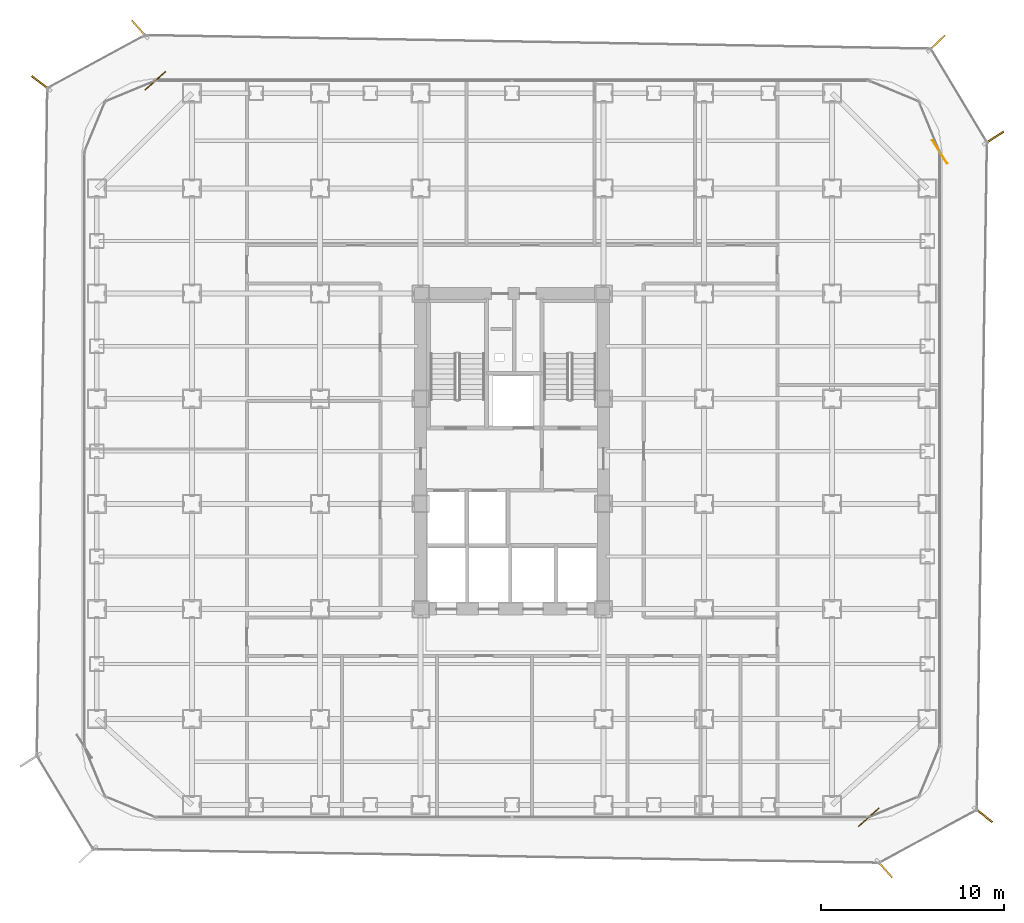
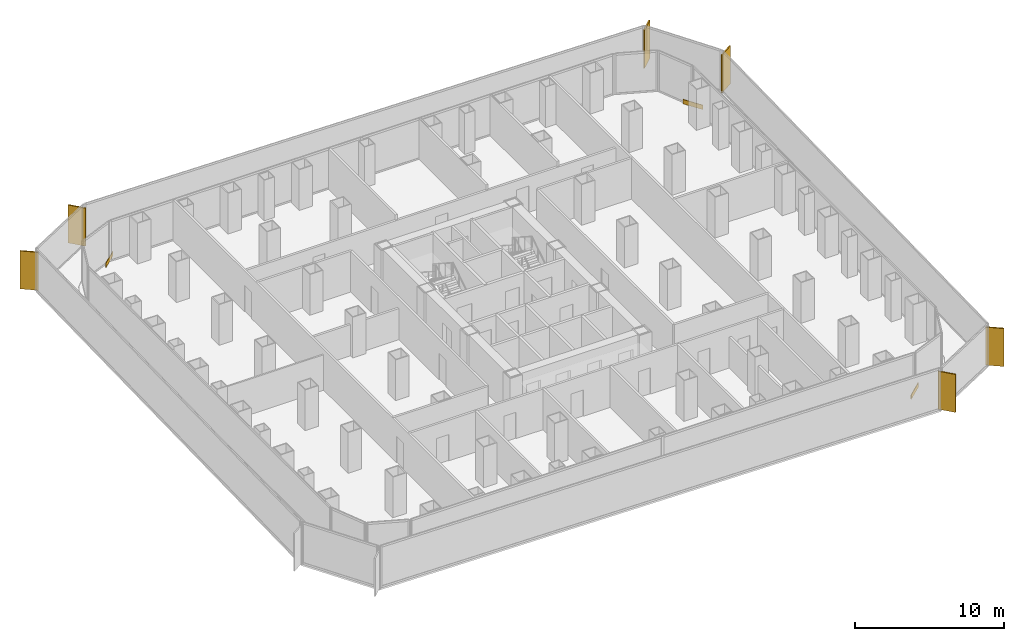
# One storey, part 22 of 22: 6 shading devices, 3 coverings.
"""IFC4 building model written with IfcOpenShell, lengths in metres."""

from ifc_helpers import new_model, si_unit, direction, frame, origin, origin_2d, place, context, subcontext, project, spatial, rectangle, extrude, source, transform, mapped, material, layer, layer_set, type_object, element, save


model = new_model("IFC4")

# Units and contexts
model_context = context("Model", 3, precision=1e-05, world=origin(), true_north=direction((0.0, 1.0)))
body_context = subcontext(model_context, "Body", "Model", "MODEL_VIEW")
ifc_project = project(units=[si_unit("LENGTHUNIT", "METRE"), si_unit("AREAUNIT", "SQUARE_METRE"), si_unit("VOLUMEUNIT", "CUBIC_METRE"), si_unit("PLANEANGLEUNIT", "RADIAN"), si_unit("MASSUNIT", "GRAM", prefix="KILO")], contexts=[model_context])

# Site, building, storey
site_placement = place(None, origin())
site = spatial("IfcSite", under=ifc_project, at=site_placement, CompositionType="ELEMENT")
building_placement = place(site_placement, origin())
building = spatial("IfcBuilding", under=site, at=building_placement, Name="Kolveth Station Tower", CompositionType="ELEMENT")
storey_placement = place(building_placement, frame((0.0, 0.0, 54.89990234375)))
storey = spatial("IfcBuildingStorey", under=building, at=storey_placement, Name="L14", CompositionType="ELEMENT", Elevation=54.89990234375)

# Shading devices
ifc_material_1 = material(Name="Black anodized aluminium 6063-T6", Category="aluminium")
shading_device_type = type_object("IfcShadingDeviceType", Name="FIN_VF1", PredefinedType="USERDEFINED", material=ifc_material_1)
shared_shape_1 = source(origin(), body_context, "Body", "SweptSolid", [
    extrude(rectangle(XDim=1.25, YDim=0.090087890625, at=origin_2d()), origin(), (0.0, 0.0, 1.0), 3.10009765625),
])
for number, where, z_axis, x_axis, name in (
    (1, (43.864990234375, -2.7080078125, 0.0), (0.0, 0.0, 1.0), (0.663534575496, -0.748145618928, 0.0), "L14 Dark-Aluminium Solar Fin 1"),
    (2, (49.260986328125, 0.243896484375, 0.0), (0.0, 0.0, 1.0), (0.789833986695, -0.613320693815, 0.0), "L14 Dark-Aluminium Solar Fin 2"),
    (3, (49.843017578125, 37.262939453125, 0.0), (0.0, 0.0, 1.0), (0.839998867196, 0.542588152386, 0.0), "L14 Dark-Aluminium Solar Fin 3"),
    (4, (46.721923828125, 42.44091796875, 0.0), (0.0, 0.0, 1.0), (0.72296714591, 0.690882411077, 0.0), "L14 Dark-Aluminium Solar Fin 4"),
    (5, (3.135009765625, 43.2060546875, 0.0), (0.0, 0.0, 1.0), (-0.663665141432, 0.748029798903, 0.0), "L14 Dark-Aluminium Solar Fin 5"),
    (6, (-2.25390625, 40.251953125, 0.0), (0.0, 0.0, 1.0), (-0.789726930011, 0.613458536509, 0.0), "L14 Dark-Aluminium Solar Fin 6"),
):
    element("IfcShadingDevice", number, at=place(storey_placement, frame(where, z_axis=z_axis, x_axis=x_axis)), inside=storey, type_object=shading_device_type, Name=name, ObjectType="FIN", PredefinedType="USERDEFINED", context=body_context, shape_type="MappedRepresentation", body=[
        mapped(shared_shape_1, transform((0.0, 0.0, 0.0), x_axis=(1.0, 0.0, 0.0), y_axis=(0.0, 1.0, 0.0), z_axis=(0.0, 0.0, 1.0), scale=1.0)),
    ])

# Coverings
ifc_material_2 = material(Name="Charcoal anodized aluminium spandrel cladding", Category="aluminium")
ifc_layer = layer(ifc_material_2, 0.044921875)
ifc_layer_set = layer_set([ifc_layer], Name="Charcoal anodized aluminium spandrel cladding")
covering_type = type_object("IfcCoveringType", Name="Clad_CD1", PredefinedType="CLADDING", material=ifc_layer_set)
shared_shape_2 = source(origin(), body_context, "Body", "SweptSolid", [
    extrude(rectangle(XDim=1.5, YDim=0.044921875, at=origin_2d()), origin(), (0.0, 0.0, 1.0), 0.360107421875),
])
for number, where, z_axis, x_axis, name in (
    (7, (43.0, 0.1201171875, 0.0), (0.0, 0.0, 1.0), (0.748145618928, 0.663534575496, 0.0), "L14 Spandrel Edge Cladding 1"),
    (8, (46.8798828125, 36.5, 0.0), (0.0, 0.0, 1.0), (-0.542588152386, 0.839998867196, 0.0), "L14 Spandrel Edge Cladding 3"),
    (9, (4.0, 40.3798828125, 0.0), (0.0, 0.0, 1.0), (-0.748029798903, -0.663665141432, 0.0), "L14 Spandrel Edge Cladding 5"),
):
    element("IfcCovering", number, at=place(storey_placement, frame(where, z_axis=z_axis, x_axis=x_axis)), inside=storey, type_object=covering_type, Name=name, PredefinedType="CLADDING", context=body_context, shape_type="MappedRepresentation", body=[
        mapped(shared_shape_2, transform((0.0, 0.0, 0.0), x_axis=(1.0, 0.0, 0.0), y_axis=(0.0, 1.0, 0.0), z_axis=(0.0, 0.0, 1.0), scale=1.0)),
    ])

save(model, "model.ifc")
